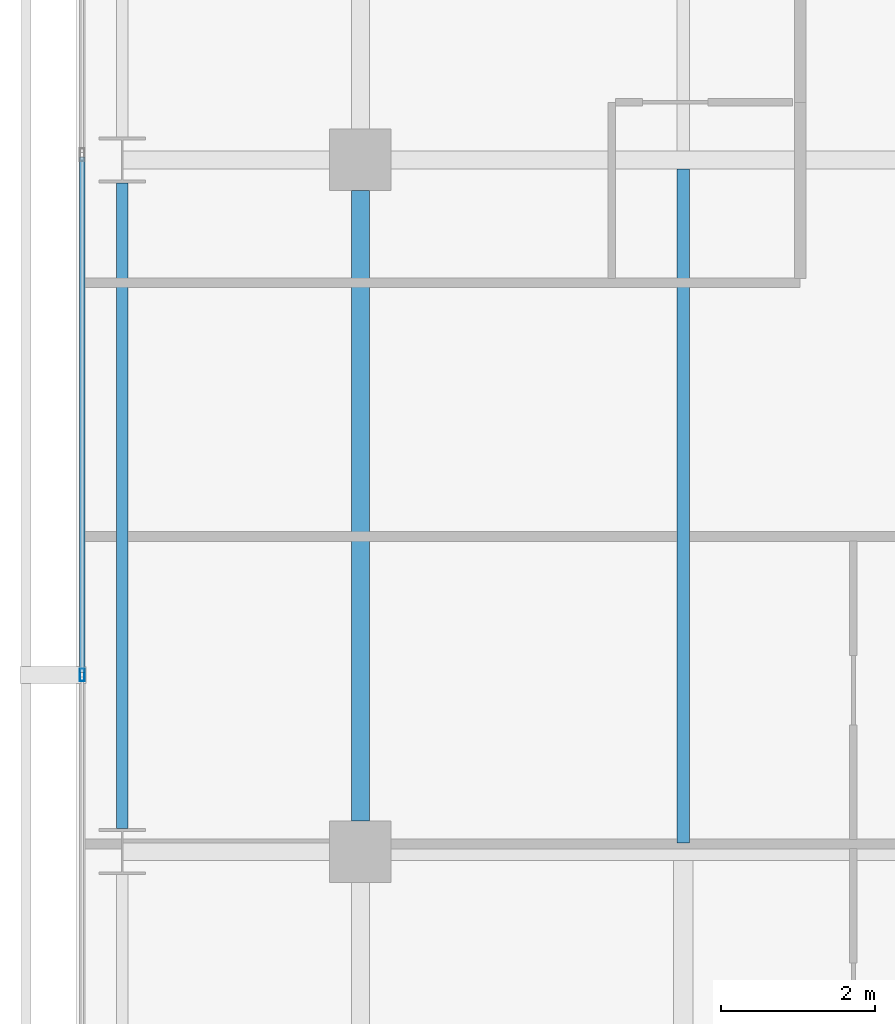
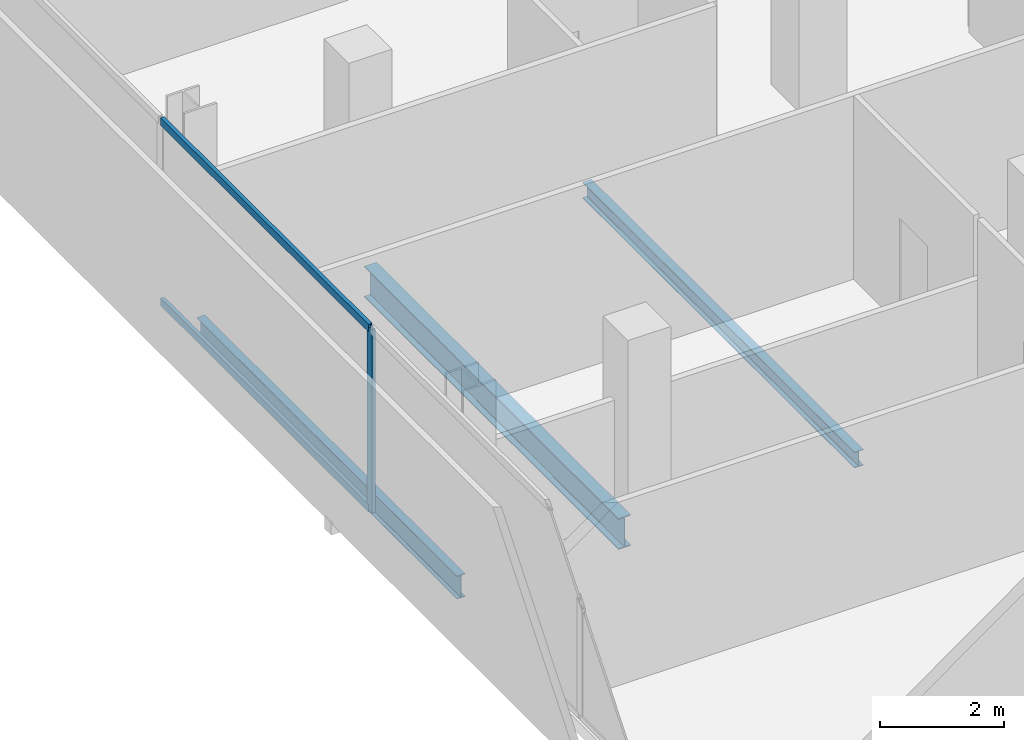
# One storey, part 10 of 34: 3 beams, 3 members, 1 element without a shape of its own.
"""IFC4 building model written with IfcOpenShell, lengths in metres."""

from ifc_helpers import new_model, si_unit, direction, frame, origin, origin_2d, place, context, subcontext, project, spatial, hollow_rectangle, i_section, extrude, material, layer, layer_set, material_profile, profile_set, type_object, element, aggregate, save


model = new_model("IFC4")

# Units and contexts
model_context = context("Model", 3, precision=1e-05, world=origin(), true_north=direction((0.0, 1.0)))
body_context = subcontext(model_context, "Body", "Model", "MODEL_VIEW")
ifc_project = project(units=[si_unit("LENGTHUNIT", "METRE"), si_unit("AREAUNIT", "SQUARE_METRE"), si_unit("VOLUMEUNIT", "CUBIC_METRE"), si_unit("PLANEANGLEUNIT", "RADIAN"), si_unit("MASSUNIT", "GRAM", prefix="KILO")], contexts=[model_context])

# Site, building, storey
site_placement = place(None, origin())
site = spatial("IfcSite", under=ifc_project, at=site_placement, CompositionType="ELEMENT")
building_placement = place(site_placement, origin())
building = spatial("IfcBuilding", under=site, at=building_placement, Name="Maruvema Waterfront Hotel and Observation Tower", CompositionType="ELEMENT")
storey_placement = place(building_placement, frame((0.0, 0.0, 131.25)))
storey = spatial("IfcBuildingStorey", under=building, at=storey_placement, Name="L31", CompositionType="ELEMENT", Elevation=131.25)

# Curtain wall, members
ifc_material_1 = material(Name="Anodised bronze aluminium and solar-control low-E IGU", Category="aluminium")
ifc_layer = layer(ifc_material_1, 0.159912109375, Name="Zone 2 Amber Inner Thermal Curtain Wall System CW-03")
ifc_layer_set = layer_set([ifc_layer], Name="Anodised bronze aluminium and solar-control low-E IGU")
curtain_wall_type = type_object("IfcCurtainWallType", Name="Zone 2 Amber Inner Thermal Curtain Wall System CW-03", PredefinedType="USERDEFINED", material=ifc_layer_set)
curtain_wall_placement = place(storey_placement, origin())
curtain_wall = element("IfcCurtainWall", 1, at=curtain_wall_placement, inside=storey, type_object=curtain_wall_type, Name="L31 Curtain Wall CW-L31-W", ObjectType="UNITISED CURTAIN WALL", PredefinedType="USERDEFINED")
ifc_material_2 = material(Name="Anodised architectural bronze aluminium", Category="aluminium")
ifc_material_profile_1 = material_profile(ifc_material_2, hollow_rectangle(XDim=0.070068359375, YDim=0.14990234375, WallThickness=0.00390625, at=origin_2d()), Name="ALU-T70x150")
ifc_profile_set_1 = profile_set([ifc_material_profile_1], Name="Anodised architectural bronze aluminium")
member_type_1 = type_object("IfcMemberType", Name="Curtain Wall Horizontal Transom ALU-T70x150", PredefinedType="USERDEFINED", material=ifc_profile_set_1)
member_1_placement = place(storey_placement, frame((13.179931640625, 36.03662109375, 0.030029296875), z_axis=(0.0, -1.0, 0.0), x_axis=(1.0, 0.0, 0.0)))
member_1 = element("IfcMember", 2, at=member_1_placement, type_object=member_type_1, Name="CW-03 transom 3.1", ObjectType="TRANSOM", PredefinedType="USERDEFINED", context=body_context, shape_type="SweptSolid", body=[
    extrude(hollow_rectangle(XDim=0.070068359375, YDim=0.14990234375, WallThickness=0.00390625, at=origin_2d()), origin(), (0.0, 0.0, 1.0), 6.70654296875),
])
member_2_placement = place(storey_placement, frame((13.179931640625, 36.03662109375, 3.580078125), z_axis=(0.0, -1.0, 0.0), x_axis=(1.0, 0.0, 0.0)))
member_2 = element("IfcMember", 3, at=member_2_placement, type_object=member_type_1, Name="CW-03 transom 3.2", ObjectType="TRANSOM", PredefinedType="USERDEFINED", context=body_context, shape_type="SweptSolid", body=[
    extrude(hollow_rectangle(XDim=0.070068359375, YDim=0.14990234375, WallThickness=0.00390625, at=origin_2d()), origin(), (0.0, 0.0, 1.0), 6.70654296875),
])
ifc_material_3 = material(Name="Anodised architectural bronze aluminium", Category="aluminium")
ifc_material_profile_2 = material_profile(ifc_material_3, hollow_rectangle(XDim=0.06494140625, YDim=0.1650390625, WallThickness=0.00390625, at=origin_2d()), Name="ALU-M65x165")
ifc_profile_set_2 = profile_set([ifc_material_profile_2], Name="Anodised architectural bronze aluminium")
member_type_2 = type_object("IfcMemberType", Name="Curtain Wall Primary Mullion ALU-M65x165", PredefinedType="MULLION", material=ifc_profile_set_2)
member_3_placement = place(storey_placement, frame((13.179931640625, 29.300048828125, 0.0), z_axis=(0.0, 0.0, 1.0), x_axis=(1.0, 0.0, 0.0)))
member_3 = element("IfcMember", 4, at=member_3_placement, type_object=member_type_2, Name="CW-03 mullion 4", PredefinedType="MULLION", context=body_context, shape_type="SweptSolid", body=[
    extrude(hollow_rectangle(XDim=0.06494140625, YDim=0.1650390625, WallThickness=0.00390625, at=origin_2d()), origin(), (0.0, 0.0, 1.0), 3.610107421875),
])
aggregate(curtain_wall, [member_3, member_1, member_2])

# Beams
ifc_material_4 = material(Name="Steel ASTM A572 Grade 50", Category="steel")
ifc_material_profile_3 = material_profile(ifc_material_4, i_section(OverallWidth=0.153076171875, OverallDepth=0.455078125, WebThickness=0.008056640625, FlangeThickness=0.01318359375, FilletRadius=0.014892578125, at=origin_2d()), Name="W460x60.0")
ifc_profile_set_3 = profile_set([ifc_material_profile_3], Name="Steel ASTM A572 Grade 50")
beam_type_1 = type_object("IfcBeamType", Name="Perimeter Spandrel Beam W460x60.0", PredefinedType="SPANDREL", material=ifc_profile_set_3)
beam_1_placement = place(storey_placement, frame((13.699951171875, 27.300048828125, -0.467529296875), z_axis=(0.0, 1.0, 0.0), x_axis=(-1.0, 0.0, 0.0)))
element("IfcBeam", 5, at=beam_1_placement, inside=storey, type_object=beam_type_1, Name="L31 Floor Girder NS-03", PredefinedType="SPANDREL", context=body_context, shape_type="SweptSolid", body=[
    extrude(i_section(OverallWidth=0.153076171875, OverallDepth=0.455078125, WebThickness=0.008056640625, FlangeThickness=0.01318359375, FilletRadius=0.014892578125, at=origin_2d()), origin(), (0.0, 0.0, 1.0), 8.39990234375),
])
ifc_material_5 = material(Name="Steel ASTM A572 Grade 50", Category="steel")
ifc_material_profile_4 = material_profile(ifc_material_5, i_section(OverallWidth=0.22900390625, OverallDepth=0.612060546875, WebThickness=0.011962890625, FlangeThickness=0.01953125, FilletRadius=0.01806640625, at=origin_2d()), Name="W610x125.0")
ifc_profile_set_4 = profile_set([ifc_material_profile_4], Name="Steel ASTM A572 Grade 50")
beam_type_2 = type_object("IfcBeamType", Name="Primary Floor Girder W610x125.0", PredefinedType="BEAM", material=ifc_profile_set_4)
beam_2_placement = place(storey_placement, frame((16.800048828125, 27.39990234375, -0.5458984375), z_axis=(0.0, 1.0, 0.0), x_axis=(-1.0, 0.0, 0.0)))
element("IfcBeam", 6, at=beam_2_placement, inside=storey, type_object=beam_type_2, Name="L31 Floor Girder NS-07", PredefinedType="BEAM", context=body_context, shape_type="SweptSolid", body=[
    extrude(i_section(OverallWidth=0.22900390625, OverallDepth=0.612060546875, WebThickness=0.011962890625, FlangeThickness=0.01953125, FilletRadius=0.01806640625, at=origin_2d()), origin(), (0.0, 0.0, 1.0), 8.2001953125),
])
ifc_material_6 = material(Name="Steel ASTM A572 Grade 50", Category="steel")
ifc_material_profile_5 = material_profile(ifc_material_6, i_section(OverallWidth=0.1669921875, OverallDepth=0.31689453125, WebThickness=0.007568359375, FlangeThickness=0.01318359375, FilletRadius=0.012939453125, at=origin_2d()), Name="W310x52.0")
ifc_profile_set_5 = profile_set([ifc_material_profile_5], Name="Steel ASTM A572 Grade 50")
beam_type_3 = type_object("IfcBeamType", Name="Secondary Floor Joist W310x52.0", PredefinedType="JOIST", material=ifc_profile_set_5)
beam_3_placement = place(storey_placement, frame((21.0, 27.114501953125, -0.3984375), z_axis=(0.0, 1.0, 0.0), x_axis=(-1.0, 0.0, 0.0)))
element("IfcBeam", 7, at=beam_3_placement, inside=storey, type_object=beam_type_3, Name="L31 Secondary Floor Joist JS-03", PredefinedType="JOIST", context=body_context, shape_type="SweptSolid", body=[
    extrude(i_section(OverallWidth=0.1669921875, OverallDepth=0.31689453125, WebThickness=0.007568359375, FlangeThickness=0.01318359375, FilletRadius=0.012939453125, at=origin_2d()), origin(), (0.0, 0.0, 1.0), 8.77099609375),
])

save(model, "model.ifc")
